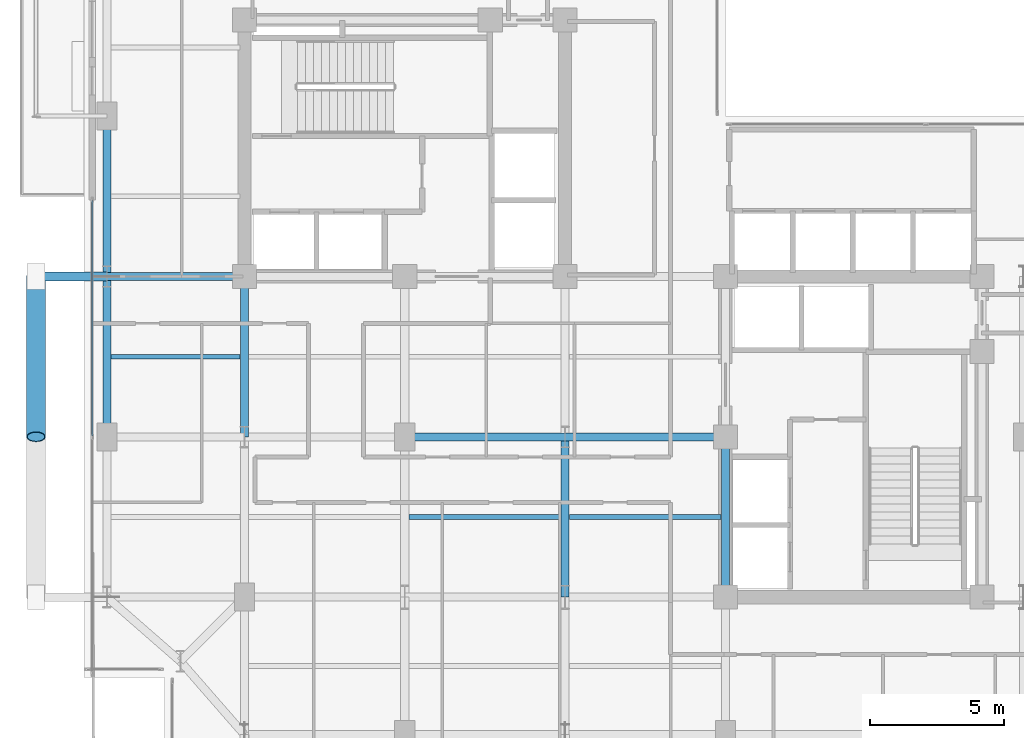
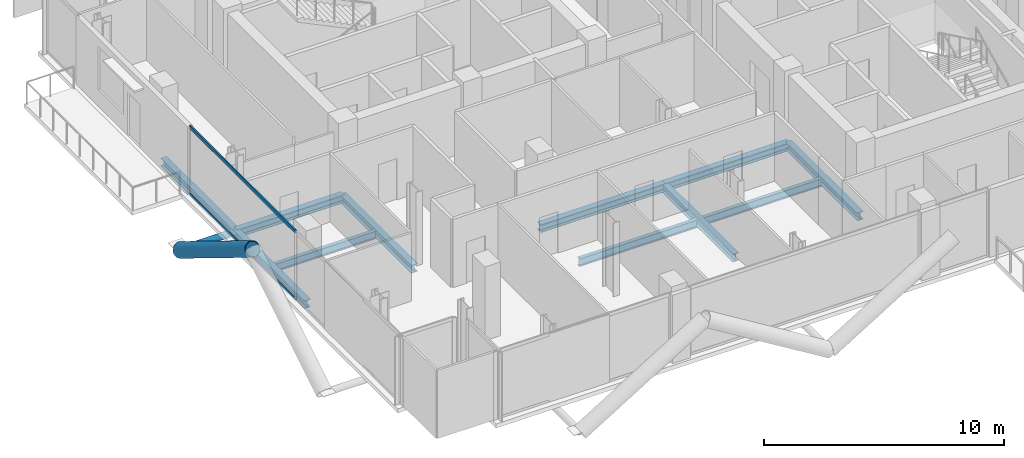
# One storey, part 6 of 26: 11 beams, 4 members, 1 element without a shape of its own.
"""IFC4 building model written with IfcOpenShell, lengths in metres."""

from ifc_helpers import new_model, si_unit, direction, frame, origin, origin_2d, place, context, subcontext, project, spatial, hollow_rectangle, hollow_circle, i_section, extrude, material, layer, layer_set, material_profile, profile_set, type_object, element, aggregate, save


model = new_model("IFC4")

# Units and contexts
model_context = context("Model", 3, precision=1e-05, world=origin(), true_north=direction((0.0, 1.0)))
body_context = subcontext(model_context, "Body", "Model", "MODEL_VIEW")
ifc_project = project(units=[si_unit("LENGTHUNIT", "METRE"), si_unit("AREAUNIT", "SQUARE_METRE"), si_unit("VOLUMEUNIT", "CUBIC_METRE"), si_unit("PLANEANGLEUNIT", "RADIAN"), si_unit("MASSUNIT", "GRAM", prefix="KILO"), si_unit("THERMODYNAMICTEMPERATUREUNIT", "KELVIN"), si_unit("POWERUNIT", "WATT")], contexts=[model_context])

# Site, building, storey
site_placement = place(None, origin())
site = spatial("IfcSite", under=ifc_project, at=site_placement, CompositionType="ELEMENT")
building_placement = place(site_placement, origin())
building = spatial("IfcBuilding", under=site, at=building_placement, Name="Svarakhadi Broadcast Tower", CompositionType="ELEMENT")
storey_placement = place(building_placement, frame((0.0, 0.0, 195.449951171875)))
storey = spatial("IfcBuildingStorey", under=building, at=storey_placement, Name="L48", CompositionType="ELEMENT", Elevation=195.449951171875)

# Beams
ifc_material_1 = material(Name="Steel S355J2 (IS 2062 E350C)", Category="steel")
ifc_material_profile_1 = material_profile(ifc_material_1, i_section(OverallWidth=0.179931640625, OverallDepth=0.39990234375, WebThickness=0.008544921875, FlangeThickness=0.013427734375, FilletRadius=0.02099609375, at=origin_2d()), Name="NPB 400x180x66")
ifc_profile_set_1 = profile_set([ifc_material_profile_1], Name="Steel S355J2 (IS 2062 E350C)")
beam_type_1 = type_object("IfcBeamType", Name="Beam_NPB400", PredefinedType="BEAM", material=ifc_profile_set_1)
beam_1_placement = place(storey_placement, frame((1.010009765625, 15.0, -0.409912109375), z_axis=(1.0, 0.0, 0.0), x_axis=(0.0, 1.0, 0.0)))
element("IfcBeam", 1, at=beam_1_placement, inside=storey, type_object=beam_type_1, Name="L48 Secondary Composite Beam SB002", PredefinedType="BEAM", context=body_context, shape_type="SweptSolid", body=[
    extrude(i_section(OverallWidth=0.179931640625, OverallDepth=0.39990234375, WebThickness=0.008544921875, FlangeThickness=0.013427734375, FilletRadius=0.02099609375, at=origin_2d()), origin(), (0.0, 0.0, 1.0), 4.830078125),
])
for number, where, z_axis, x_axis, name in (
    (2, (12.159912109375, 9.0, -0.409912109375), (1.0, 0.0, 0.0), (0.0, 1.0, 0.0), "L48 Secondary Composite Beam SB010"),
    (3, (18.159912109375, 9.0, -0.409912109375), (1.0, 0.0, 0.0), (0.0, 1.0, 0.0), "L48 Secondary Composite Beam SB014"),
):
    element("IfcBeam", number, at=place(storey_placement, frame(where, z_axis=z_axis, x_axis=x_axis)), inside=storey, type_object=beam_type_1, Name=name, PredefinedType="BEAM", context=body_context, shape_type="SweptSolid", body=[
        extrude(i_section(OverallWidth=0.179931640625, OverallDepth=0.39990234375, WebThickness=0.008544921875, FlangeThickness=0.013427734375, FilletRadius=0.02099609375, at=origin_2d()), origin(), (0.0, 0.0, 1.0), 5.68017578125),
    ])

# Curtain wall, members
ifc_material_2 = material(Name="Anodised Bronze Aluminium AA 6063-T6", Category="aluminium")
ifc_layer = layer(ifc_material_2, 0.18994140625)
ifc_layer_set = layer_set([ifc_layer], Name="Anodised Bronze Aluminium AA 6063-T6")
curtain_wall_type = type_object("IfcCurtainWallType", Name="CW_Sys_04", PredefinedType="NOTDEFINED", material=ifc_layer_set)
curtain_wall_placement = place(storey_placement, origin())
curtain_wall = element("IfcCurtainWall", 4, at=curtain_wall_placement, inside=storey, type_object=curtain_wall_type, Name="L48 West Curtain Wall 02", PredefinedType="NOTDEFINED")
ifc_material_profile_2 = material_profile(ifc_material_2, hollow_rectangle(XDim=0.06494140625, YDim=0.175048828125, WallThickness=0.0048828125, at=origin_2d()), Name="ALU TRANSOM 175x65x5")
ifc_profile_set_2 = profile_set([ifc_material_profile_2], Name="Anodised Bronze Aluminium AA 6063-T6")
member_type_1 = type_object("IfcMemberType", Name="CW_Sys_04_Trn", PredefinedType="USERDEFINED", material=ifc_profile_set_2)
member_1_placement = place(storey_placement, frame((0.300048828125, 12.034912109375, 0.032470703125), z_axis=(0.0, 1.0, 0.0), x_axis=(-1.0, 0.0, 0.0)))
member_1 = element("IfcMember", 5, at=member_1_placement, type_object=member_type_1, Name="CW-04 transom 2.1", ObjectType="TRANSOM", PredefinedType="USERDEFINED", context=body_context, shape_type="SweptSolid", body=[
    extrude(hollow_rectangle(XDim=0.06494140625, YDim=0.175048828125, WallThickness=0.0048828125, at=origin_2d()), origin(), (0.0, 0.0, 1.0), 8.80517578125),
])
member_2_placement = place(storey_placement, frame((0.300048828125, 12.034912109375, 3.442626953125), z_axis=(0.0, 1.0, 0.0), x_axis=(-1.0, 0.0, 0.0)))
member_2 = element("IfcMember", 6, at=member_2_placement, type_object=member_type_1, Name="CW-04 transom 2.2", ObjectType="TRANSOM", PredefinedType="USERDEFINED", context=body_context, shape_type="SweptSolid", body=[
    extrude(hollow_rectangle(XDim=0.06494140625, YDim=0.175048828125, WallThickness=0.0048828125, at=origin_2d()), origin(), (0.0, 0.0, 1.0), 8.80517578125),
])
aggregate(curtain_wall, [member_1, member_2])

# Members
ifc_material_3 = material(Name="Steel S460ML (IS 2062 E450BR)", Category="steel")
ifc_material_profile_3 = material_profile(ifc_material_3, hollow_circle(Radius=0.35546875, WallThickness=0.034912109375, at=origin_2d()), Name="CHS 711x35")
ifc_profile_set_3 = profile_set([ifc_material_profile_3], Name="Steel S460ML (IS 2062 E450BR)")
member_type_2 = type_object("IfcMemberType", Name="Exo_Brace_CHS711", PredefinedType="BRACE", material=ifc_profile_set_3)
member_3_placement = place(storey_placement, frame((-1.800048828125, 18.0, -0.371826171875), z_axis=(0.0, -0.852132977326, 0.523325318472), x_axis=(1.0, 0.0, 0.0)))
element("IfcMember", 7, at=member_3_placement, inside=storey, type_object=member_type_2, Name="L48 Exposed Bronze Exoskeleton Diagonal W05", PredefinedType="BRACE", context=body_context, shape_type="SweptSolid", body=[
    extrude(hollow_circle(Radius=0.35546875, WallThickness=0.034912109375, at=origin_2d()), origin(), (0.0, 0.0, 1.0), 7.041259765625),
])
ifc_material_profile_4 = material_profile(ifc_material_3, hollow_circle(Radius=0.161865234375, WallThickness=0.01611328125, at=origin_2d()), Name="CHS 323.9x16")
ifc_profile_set_4 = profile_set([ifc_material_profile_4], Name="Steel S460ML (IS 2062 E450BR)")
member_type_3 = type_object("IfcMemberType", Name="Exo_Radial_Strut_Z2", PredefinedType="STRUT", material=ifc_profile_set_4)
member_4_placement = place(storey_placement, frame((-1.800048828125, 18.0, -0.371826171875), z_axis=(1.0, 0.0, 0.0), x_axis=(0.0, 1.0, 0.0)))
element("IfcMember", 8, at=member_4_placement, inside=storey, type_object=member_type_3, Name="L48 Exoskeleton Radial Tie Strut W05", PredefinedType="STRUT", context=body_context, shape_type="SweptSolid", body=[
    extrude(hollow_circle(Radius=0.161865234375, WallThickness=0.01611328125, at=origin_2d()), origin(), (0.0, 0.0, 1.0), 2.650146484375),
])

# Beams
ifc_material_profile_5 = material_profile(ifc_material_1, i_section(OverallWidth=0.300048828125, OverallDepth=0.39990234375, WebThickness=0.013427734375, FlangeThickness=0.02392578125, FilletRadius=0.027099609375, at=origin_2d()), Name="WPB 400x300x155")
ifc_profile_set_5 = profile_set([ifc_material_profile_5], Name="Steel S355J2 (IS 2062 E350C)")
beam_type_2 = type_object("IfcBeamType", Name="Girder_WPB400", PredefinedType="USERDEFINED", material=ifc_profile_set_5)
for number, where, z_axis, x_axis, name in (
    (9, (12.0, 12.0, -0.409912109375), (1.0, 0.0, 0.0), (0.0, 1.0, 0.0), "L48 Primary E-W Girder G017"),
    (10, (18.0, 12.0, -0.409912109375), (1.0, 0.0, 0.0), (0.0, 1.0, 0.0), "L48 Primary E-W Girder G018"),
):
    element("IfcBeam", number, at=place(storey_placement, frame(where, z_axis=z_axis, x_axis=x_axis)), inside=storey, type_object=beam_type_2, Name=name, ObjectType="GIRDER", PredefinedType="USERDEFINED", context=body_context, shape_type="SweptSolid", body=[
        extrude(i_section(OverallWidth=0.300048828125, OverallDepth=0.39990234375, WebThickness=0.013427734375, FlangeThickness=0.02392578125, FilletRadius=0.027099609375, at=origin_2d()), origin(), (0.0, 0.0, 1.0), 6.0),
    ])
beam_2_placement = place(storey_placement, frame((0.85009765625, 18.0, -0.409912109375), z_axis=(1.0, 0.0, 0.0), x_axis=(0.0, 1.0, 0.0)))
element("IfcBeam", 11, at=beam_2_placement, inside=storey, type_object=beam_type_2, Name="L48 Primary E-W Girder G020", ObjectType="GIRDER", PredefinedType="USERDEFINED", context=body_context, shape_type="SweptSolid", body=[
    extrude(i_section(OverallWidth=0.300048828125, OverallDepth=0.39990234375, WebThickness=0.013427734375, FlangeThickness=0.02392578125, FilletRadius=0.027099609375, at=origin_2d()), origin(), (0.0, 0.0, 1.0), 5.14990234375),
])
for number, where, z_axis, x_axis, name in (
    (12, (0.85009765625, 12.0, -0.409912109375), (0.0, 1.0, 0.0), (-1.0, 0.0, 0.0), "L48 Primary N-S Girder G034"),
    (13, (0.85009765625, 18.0, -0.409912109375), (0.0, 1.0, 0.0), (-1.0, 0.0, 0.0), "L48 Primary N-S Girder G035"),
    (14, (6.0, 12.0, -0.409912109375), (0.0, 1.0, 0.0), (-1.0, 0.0, 0.0), "L48 Primary N-S Girder G039"),
    (15, (18.0, 6.0, -0.409912109375), (0.0, 1.0, 0.0), (-1.0, 0.0, 0.0), "L48 Primary N-S Girder G047"),
    (16, (24.0, 6.0, -0.409912109375), (0.0, 1.0, 0.0), (-1.0, 0.0, 0.0), "L48 Primary N-S Girder G052"),
):
    element("IfcBeam", number, at=place(storey_placement, frame(where, z_axis=z_axis, x_axis=x_axis)), inside=storey, type_object=beam_type_2, Name=name, ObjectType="GIRDER", PredefinedType="USERDEFINED", context=body_context, shape_type="SweptSolid", body=[
        extrude(i_section(OverallWidth=0.300048828125, OverallDepth=0.39990234375, WebThickness=0.013427734375, FlangeThickness=0.02392578125, FilletRadius=0.027099609375, at=origin_2d()), origin(), (0.0, 0.0, 1.0), 6.0),
    ])

save(model, "model.ifc")
